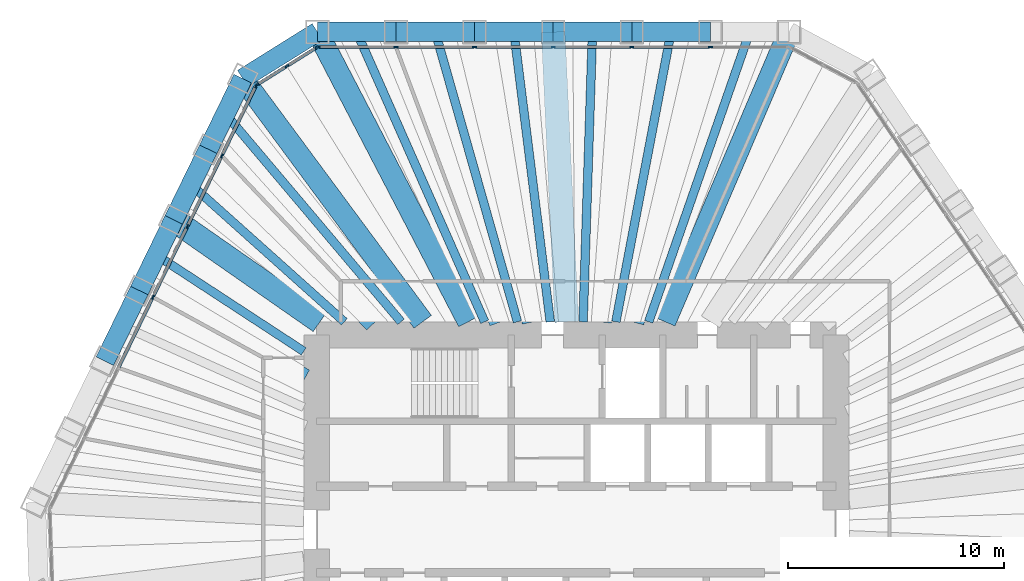
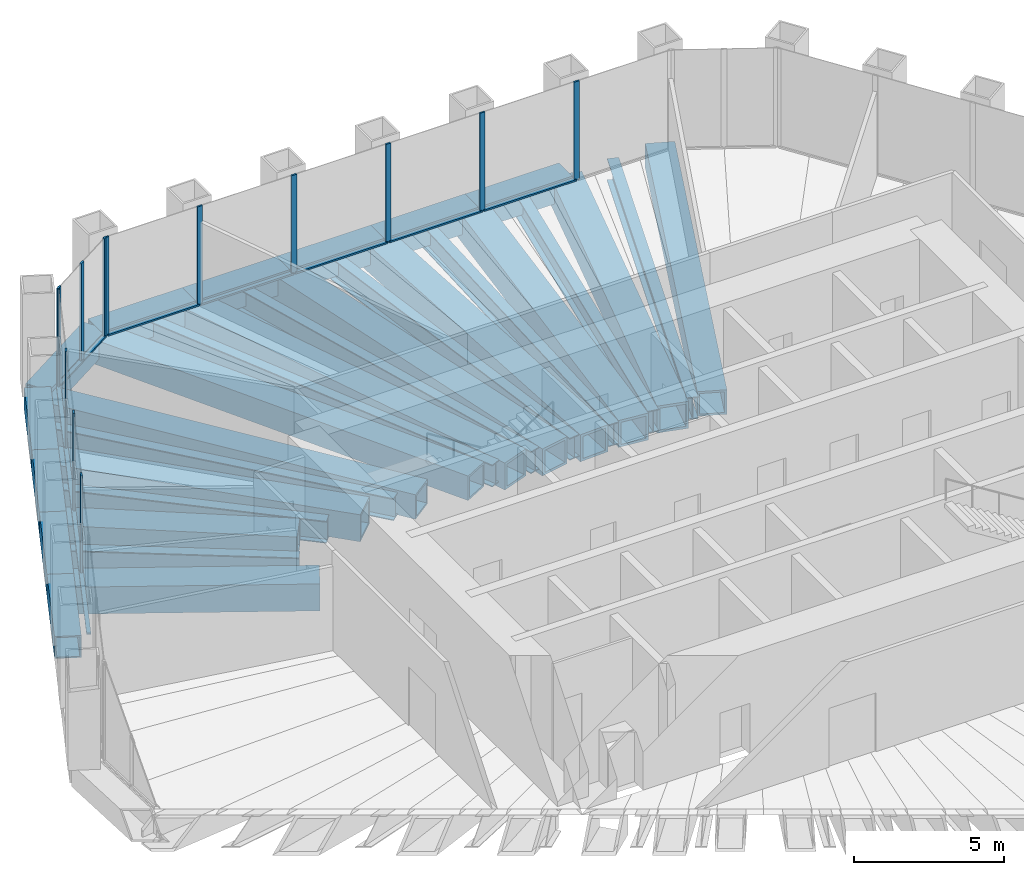
# One storey, part 5 of 12: 30 beams, 24 members, 3 elements without a shape of their own.
"""IFC4 building model written with IfcOpenShell, lengths in metres."""

import ifcopenshell
import ifcopenshell.guid

model = None  # the IFC model being written
_history = None  # IfcOwnerHistory: only IFC2X3 demands one
_inside = {}  # id of a spatial element -> (the spatial element, [elements in it])
_under = {}  # id of a project, library or spatial element -> (it, [spatial elements below it])
_declared = {}  # id of a project -> (the project, [libraries it declares])
_typed = {}  # id of a type object -> (the type object, [elements of that type])
_made_of = {}  # id of a material, layer set ... -> (it, [elements and type objects made of it])


def new_model(schema):
    """Start an empty IFC model of exactly this schema.

    Asked for "IFC4X3", IfcOpenShell would pick the latest addendum, in which some entities
    have other attributes; the version numbers below select the first issue.
    IFC2X3 requires an IfcOwnerHistory on every rooted entity: one is made here for all.
    """
    global model, _history
    if schema == "IFC4X3":
        model = ifcopenshell.file(schema_version=(4, 3, 0, 0))
    else:
        model = ifcopenshell.file(schema=schema)
    _inside.clear()
    _under.clear()
    _declared.clear()
    _typed.clear()
    _made_of.clear()
    _history = None
    if model.schema == "IFC2X3":
        org = make("IfcOrganization", Name="unknown")
        user = make(
            "IfcPersonAndOrganization",
            ThePerson=make("IfcPerson", FamilyName="unknown"),
            TheOrganization=org,
        )
        app = make(
            "IfcApplication",
            ApplicationDeveloper=org,
            Version="unknown",
            ApplicationFullName="unknown",
            ApplicationIdentifier="unknown",
        )
        _history = make(
            "IfcOwnerHistory",
            OwningUser=user,
            OwningApplication=app,
            ChangeAction="ADDED",
            CreationDate=0,
        )
    return model


def make(cls, **values):
    """One entity of the class cls with the attributes given. An attribute that is None is left unset."""
    return model.create_entity(
        cls, **{name: value for name, value in values.items() if value is not None}
    )


def rooted(cls, **values):
    """An entity with a GlobalId (a new one), such as an element, a storey or a relation."""
    return make(cls, GlobalId=ifcopenshell.guid.new(), OwnerHistory=_history, **values)


def si_unit(unit_type, name, prefix=None):
    """IfcSIUnit, for example si_unit("LENGTHUNIT", "METRE", prefix="MILLI")."""
    return make("IfcSIUnit", UnitType=unit_type, Prefix=prefix, Name=name)


def assignment(units):
    """IfcUnitAssignment: the units of a project."""
    return None if units is None else make("IfcUnitAssignment", Units=units)


def point(xyz):
    """IfcCartesianPoint."""
    return None if xyz is None else make("IfcCartesianPoint", Coordinates=xyz)


def direction(xyz):
    """IfcDirection."""
    return None if xyz is None else make("IfcDirection", DirectionRatios=xyz)


def frame(location, z_axis=None, x_axis=None):
    """IfcAxis2Placement3D, a coordinate frame: its origin and axes. An axis left out is left unset."""
    return make(
        "IfcAxis2Placement3D",
        Location=point(location),
        Axis=direction(z_axis),
        RefDirection=direction(x_axis),
    )


def frame_2d(location, x_axis=None):
    """IfcAxis2Placement2D, a coordinate frame in the plane: its origin and x axis."""
    return make(
        "IfcAxis2Placement2D", Location=point(location), RefDirection=direction(x_axis)
    )


def origin():
    """The frame at (0, 0, 0) with its axes left unset."""
    return frame((0.0, 0.0, 0.0))


def origin_2d():
    """The frame at (0, 0) in the plane with its x axis left unset."""
    return frame_2d((0.0, 0.0))


def place(relative_to, where):
    """IfcLocalPlacement: puts the frame where relative to a parent placement (None: the world)."""
    return make(
        "IfcLocalPlacement", PlacementRelTo=relative_to, RelativePlacement=where
    )


def context(
    kind, dimensions, precision=None, world=None, true_north=None, identifier=None
):
    """IfcGeometricRepresentationContext, for example the 3D "Model" context."""
    return make(
        "IfcGeometricRepresentationContext",
        ContextIdentifier=identifier,
        ContextType=kind,
        CoordinateSpaceDimension=dimensions,
        Precision=precision,
        WorldCoordinateSystem=world,
        TrueNorth=true_north,
    )


def subcontext(parent, identifier, kind, view, scale=None):
    """IfcGeometricRepresentationSubContext, for example "Body" below "Model"."""
    return make(
        "IfcGeometricRepresentationSubContext",
        ContextIdentifier=identifier,
        ContextType=kind,
        ParentContext=parent,
        TargetScale=scale,
        TargetView=view,
    )


def project(units=None, contexts=None):
    """IfcProject with its units and contexts."""
    return rooted(
        "IfcProject",
        Name="project",
        RepresentationContexts=contexts,
        UnitsInContext=assignment(units),
    )


def spatial(cls, under=None, at=None, **own):
    """A site, building, storey or space (cls), placed at a placement, below another one or the project."""
    s = rooted(cls, ObjectPlacement=at, **own)
    if under is not None:
        _under.setdefault(under.id(), (under, []))[1].append(s)
    return s


def profile(cls, at=None, kind="AREA", **sizes):
    """A parametric profile (cls). Its sizes go by their IFC names, for example OverallWidth=200.0."""
    return make(cls, ProfileType=kind, Position=at, **sizes)


def rectangle(**sizes):
    """IfcRectangleProfileDef."""
    return profile("IfcRectangleProfileDef", **sizes)


def hollow_rectangle(**sizes):
    """IfcRectangleHollowProfileDef."""
    return profile("IfcRectangleHollowProfileDef", **sizes)


def i_section(**sizes):
    """IfcIShapeProfileDef."""
    return profile("IfcIShapeProfileDef", **sizes)


def extrude(swept, where, along, depth):
    """IfcExtrudedAreaSolid: the profile swept, set in the frame where, extruded along a direction by depth."""
    return make(
        "IfcExtrudedAreaSolid",
        SweptArea=swept,
        Position=where,
        ExtrudedDirection=direction(along),
        Depth=depth,
    )


def shape(context_of_items, identifier, shape_type, items):
    """IfcShapeRepresentation: the items that make up one representation, for example the "Body"."""
    return make(
        "IfcShapeRepresentation",
        ContextOfItems=context_of_items,
        RepresentationIdentifier=identifier,
        RepresentationType=shape_type,
        Items=items,
    )


def material(Name=None, Category=None):
    """IfcMaterial."""
    return make("IfcMaterial", Name=Name, Category=Category)


def material_profile(
    of_material, cross_section, Name=None, Category=None, Priority=None
):
    """IfcMaterialProfile: a cross section and its material."""
    return make(
        "IfcMaterialProfile",
        Name=Name,
        Material=of_material,
        Profile=cross_section,
        Priority=Priority,
        Category=Category,
    )


def profile_set(profiles, Name=None, composite=None):
    """IfcMaterialProfileSet."""
    return make(
        "IfcMaterialProfileSet",
        Name=Name,
        MaterialProfiles=profiles,
        CompositeProfile=composite,
    )


def made_of(thing, what):
    """Note that an element or type object is made of a material, layer set ...; save() writes the relation."""
    if what is not None:
        _made_of.setdefault(what.id(), (what, []))[1].append(thing)
    return thing


def type_object(cls, material=None, **own):
    """A type object (cls), such as IfcWallType, which elements share."""
    return made_of(rooted(cls, **own), material)


def element(
    cls,
    number,
    at=None,
    inside=None,
    cuts=None,
    type_object=None,
    material=None,
    context=None,
    identifier="Body",
    shape_type=None,
    held_by="IfcProductDefinitionShape",
    body=None,
    shapes=None,
    **own,
):
    """One element of the class cls, such as IfcWall. Its Tag is "e" and its number.

    at: its placement. inside: the storey or other place that contains it. cuts: it is an
    opening in that element (IfcRelVoidsElement). A single representation is given by context,
    identifier, shape_type and body (its items); several are given by shapes. held_by: the class
    of the entity that holds the representations. save() writes the other relations.
    """
    e = rooted(cls, Tag="e%d" % number, ObjectPlacement=at, **own)
    if body is not None:
        shapes = [shape(context, identifier, shape_type, body)]
    if shapes is not None:
        e.Representation = make(held_by, Representations=shapes)
    if inside is not None:
        _inside.setdefault(inside.id(), (inside, []))[1].append(e)
    if cuts is not None:
        rooted(
            "IfcRelVoidsElement", RelatingBuildingElement=cuts, RelatedOpeningElement=e
        )
    if type_object is not None:
        _typed.setdefault(type_object.id(), (type_object, []))[1].append(e)
    return made_of(e, material)


def aggregate(whole, parts):
    """IfcRelAggregates: a whole, such as a stair, and the parts it consists of."""
    return rooted("IfcRelAggregates", RelatingObject=whole, RelatedObjects=parts)


def save(model, path):
    """Write the relations noted so far, then the file.

    IfcRelAggregates (storeys below a building ...), IfcRelContainedInSpatialStructure (elements
    in a storey), IfcRelDefinesByType, IfcRelAssociatesMaterial and IfcRelDeclares: one each for
    every whole, place, type object, material and project.
    """
    for whole, parts in _under.values():
        aggregate(whole, parts)
    for where, things in _inside.values():
        rooted(
            "IfcRelContainedInSpatialStructure",
            RelatedElements=things,
            RelatingStructure=where,
        )
    for kind, things in _typed.values():
        rooted("IfcRelDefinesByType", RelatedObjects=things, RelatingType=kind)
    for what, things in _made_of.values():
        rooted("IfcRelAssociatesMaterial", RelatedObjects=things, RelatingMaterial=what)
    for by, libraries in _declared.values():
        rooted("IfcRelDeclares", RelatingContext=by, RelatedDefinitions=libraries)
    model.write(path)


model = new_model("IFC4")

# Units and contexts
model_context = context("Model", 3, precision=1e-05, world=origin(), true_north=direction((0.0, 1.0)))
body_context = subcontext(model_context, "Body", "Model", "MODEL_VIEW")
ifc_project = project(units=[si_unit("LENGTHUNIT", "METRE"), si_unit("AREAUNIT", "SQUARE_METRE"), si_unit("VOLUMEUNIT", "CUBIC_METRE"), si_unit("PLANEANGLEUNIT", "RADIAN"), si_unit("MASSUNIT", "GRAM", prefix="KILO")], contexts=[model_context])

# Site, building, storey
site_placement = place(None, origin())
site = spatial("IfcSite", under=ifc_project, at=site_placement, CompositionType="ELEMENT")
building_placement = place(site_placement, origin())
building = spatial("IfcBuilding", under=site, at=building_placement, Name="Qingtian Harvest Tower", CompositionType="ELEMENT")
storey_placement = place(building_placement, frame((0.0, 0.0, 184.60009765625)))
storey = spatial("IfcBuildingStorey", under=building, at=storey_placement, Name="L39", CompositionType="ELEMENT", Elevation=184.60009765625)

# Beams
ifc_material_1 = material(Name="Steel SN490B", Category="steel")
ifc_material_profile_1 = material_profile(ifc_material_1, i_section(OverallWidth=0.39990234375, OverallDepth=0.89990234375, WebThickness=0.01904296875, FlangeThickness=0.035888671875, at=origin_2d()), Name="H900x400x19x36")
ifc_profile_set_1 = profile_set([ifc_material_profile_1], Name="Steel SN490B")
beam_type_1 = type_object("IfcBeamType", Name="Floor joist J4 H900x400x19x36", PredefinedType="JOIST", material=ifc_profile_set_1)
beam_1_placement = place(storey_placement, frame((-10.1552734375, 23.0, -0.6201171875), z_axis=(0.40391347792, -0.914797191925, 0.0), x_axis=(0.914797191925, 0.40391347792, 0.0)))
element("IfcBeam", 1, at=beam_1_placement, inside=storey, type_object=beam_type_1, Name="Floor joist J4 N0", PredefinedType="JOIST", context=body_context, shape_type="SweptSolid", body=[
    extrude(i_section(OverallWidth=0.39990234375, OverallDepth=0.89990234375, WebThickness=0.01904296875, FlangeThickness=0.035888671875, at=origin_2d()), origin(), (0.0, 0.0, 1.0), 14.64794921875),
])
beam_2_placement = place(storey_placement, frame((-6.521728515625, 23.0, -0.6201171875), z_axis=(0.272796737564, -0.962071691702, 0.0), x_axis=(0.962071691702, 0.272796737564, 0.0)))
element("IfcBeam", 2, at=beam_2_placement, inside=storey, type_object=beam_type_1, Name="Floor joist J4 N1", PredefinedType="JOIST", context=body_context, shape_type="SweptSolid", body=[
    extrude(i_section(OverallWidth=0.39990234375, OverallDepth=0.89990234375, WebThickness=0.01904296875, FlangeThickness=0.035888671875, at=origin_2d()), origin(), (0.0, 0.0, 1.0), 13.92822265625),
])
beam_3_placement = place(storey_placement, frame((-2.88818359375, 23.0, -0.6201171875), z_axis=(0.124590949529, -0.992208191508, 0.0), x_axis=(0.992208191508, 0.124590949529, 0.0)))
element("IfcBeam", 3, at=beam_3_placement, inside=storey, type_object=beam_type_1, Name="Floor joist J4 N2", PredefinedType="JOIST", context=body_context, shape_type="SweptSolid", body=[
    extrude(i_section(OverallWidth=0.39990234375, OverallDepth=0.89990234375, WebThickness=0.01904296875, FlangeThickness=0.035888671875, at=origin_2d()), origin(), (0.0, 0.0, 1.0), 13.505126953125),
])
beam_4_placement = place(storey_placement, frame((0.745361328125, 23.0, -0.6201171875), z_axis=(-0.032395624487, -0.99947512401, 0.0), x_axis=(0.99947512401, -0.032395624487, 0.0)))
element("IfcBeam", 4, at=beam_4_placement, inside=storey, type_object=beam_type_1, Name="Floor joist J4 N3", PredefinedType="JOIST", context=body_context, shape_type="SweptSolid", body=[
    extrude(i_section(OverallWidth=0.39990234375, OverallDepth=0.89990234375, WebThickness=0.01904296875, FlangeThickness=0.035888671875, at=origin_2d()), origin(), (0.0, 0.0, 1.0), 13.406982421875),
])
beam_5_placement = place(storey_placement, frame((4.37890625, 23.0, -0.6201171875), z_axis=(-0.187034797062, -0.982353289142, 0.0), x_axis=(0.982353289142, -0.187034797062, 0.0)))
element("IfcBeam", 5, at=beam_5_placement, inside=storey, type_object=beam_type_1, Name="Floor joist J4 N4", PredefinedType="JOIST", context=body_context, shape_type="SweptSolid", body=[
    extrude(i_section(OverallWidth=0.39990234375, OverallDepth=0.89990234375, WebThickness=0.01904296875, FlangeThickness=0.035888671875, at=origin_2d()), origin(), (0.0, 0.0, 1.0), 13.640625),
])
beam_6_placement = place(storey_placement, frame((8.012451171875, 23.0, -0.6201171875), z_axis=(-0.328969033283, -0.944340709247, 0.0), x_axis=(0.944340709247, -0.328969033283, 0.0)))
element("IfcBeam", 6, at=beam_6_placement, inside=storey, type_object=beam_type_1, Name="Floor joist J4 N5", PredefinedType="JOIST", context=body_context, shape_type="SweptSolid", body=[
    extrude(i_section(OverallWidth=0.39990234375, OverallDepth=0.89990234375, WebThickness=0.01904296875, FlangeThickness=0.035888671875, at=origin_2d()), origin(), (0.0, 0.0, 1.0), 14.189697265625),
])
beam_7_placement = place(storey_placement, frame((-19.40625, 12.678466796875, -0.6201171875), z_axis=(0.837161066611, -0.546956441182, 0.0), x_axis=(0.546956441182, 0.837161066611, 0.0)))
element("IfcBeam", 7, at=beam_7_placement, inside=storey, type_object=beam_type_1, Name="Floor joist J4 NW3", PredefinedType="JOIST", context=body_context, shape_type="SweptSolid", body=[
    extrude(i_section(OverallWidth=0.39990234375, OverallDepth=0.89990234375, WebThickness=0.01904296875, FlangeThickness=0.035888671875, at=origin_2d()), origin(), (0.0, 0.0, 1.0), 8.130126953125),
])
beam_8_placement = place(storey_placement, frame((-17.813232421875, 15.944091796875, -0.6201171875), z_axis=(0.745126517589, -0.66692313859, 0.0), x_axis=(0.66692313859, 0.745126517589, 0.0)))
element("IfcBeam", 8, at=beam_8_placement, inside=storey, type_object=beam_type_1, Name="Floor joist J4 NW4", PredefinedType="JOIST", context=body_context, shape_type="SweptSolid", body=[
    extrude(i_section(OverallWidth=0.39990234375, OverallDepth=0.89990234375, WebThickness=0.01904296875, FlangeThickness=0.035888671875, at=origin_2d()), origin(), (0.0, 0.0, 1.0), 9.512451171875),
])
beam_9_placement = place(storey_placement, frame((-16.220458984375, 19.2099609375, -0.6201171875), z_axis=(0.645157903911, -0.764049264787, 0.0), x_axis=(0.764049264787, 0.645157903911, 0.0)))
element("IfcBeam", 9, at=beam_9_placement, inside=storey, type_object=beam_type_1, Name="Floor joist J4 NW5", PredefinedType="JOIST", context=body_context, shape_type="SweptSolid", body=[
    extrude(i_section(OverallWidth=0.39990234375, OverallDepth=0.89990234375, WebThickness=0.01904296875, FlangeThickness=0.035888671875, at=origin_2d()), origin(), (0.0, 0.0, 1.0), 12.57763671875),
])

# Curtain wall, members
ifc_material_2 = material(Name="Bronze-anodised aluminium curtain wall", Category="aluminium")
curtain_wall_type = type_object("IfcCurtainWallType", Name="Curtain wall CW4 office", PredefinedType="USERDEFINED", material=ifc_material_2)
curtain_wall_1_placement = place(storey_placement, origin())
curtain_wall_1 = element("IfcCurtainWall", 10, at=curtain_wall_1_placement, inside=storey, type_object=curtain_wall_type, Name="Curtain wall CW4 L39 N0-5", ObjectType="RECESSED CURTAIN WALL", PredefinedType="USERDEFINED")
ifc_material_3 = material(Name="Bronze-anodised aluminium mullion", Category="aluminium")
ifc_material_profile_2 = material_profile(ifc_material_3, rectangle(XDim=0.06494140625, YDim=0.199951171875, at=origin_2d()), Name="AL 65x200")
ifc_profile_set_2 = profile_set([ifc_material_profile_2], Name="Bronze-anodised aluminium mullion")
member_type_1 = type_object("IfcMemberType", Name="Mullion CWM 65x200", PredefinedType="MULLION", material=ifc_profile_set_2)
member_1_placement = place(storey_placement, frame((-11.939453125, 22.300048828125, 0.0), z_axis=(0.0, 0.0, 1.0), x_axis=(0.0, 1.0, 0.0)))
member_1 = element("IfcMember", 11, at=member_1_placement, type_object=member_type_1, Name="CW4 mullion 1", PredefinedType="MULLION", context=body_context, shape_type="SweptSolid", body=[
    extrude(rectangle(XDim=0.06494140625, YDim=0.199951171875, at=origin_2d()), origin(), (0.0, 0.0, 1.0), 4.02978515625),
])
member_2_placement = place(storey_placement, frame((-8.33837890625, 22.300048828125, 0.0), z_axis=(0.0, 0.0, 1.0), x_axis=(0.0, 1.0, 0.0)))
member_2 = element("IfcMember", 12, at=member_2_placement, type_object=member_type_1, Name="CW4 mullion 2", PredefinedType="MULLION", context=body_context, shape_type="SweptSolid", body=[
    extrude(rectangle(XDim=0.06494140625, YDim=0.199951171875, at=origin_2d()), origin(), (0.0, 0.0, 1.0), 4.02978515625),
])
member_3_placement = place(storey_placement, frame((-4.704833984375, 22.300048828125, 0.0), z_axis=(0.0, 0.0, 1.0), x_axis=(0.0, 1.0, 0.0)))
member_3 = element("IfcMember", 13, at=member_3_placement, type_object=member_type_1, Name="CW4 mullion 3", PredefinedType="MULLION", context=body_context, shape_type="SweptSolid", body=[
    extrude(rectangle(XDim=0.06494140625, YDim=0.199951171875, at=origin_2d()), origin(), (0.0, 0.0, 1.0), 4.02978515625),
])
member_4_placement = place(storey_placement, frame((-1.0712890625, 22.300048828125, 0.0), z_axis=(0.0, 0.0, 1.0), x_axis=(0.0, 1.0, 0.0)))
member_4 = element("IfcMember", 14, at=member_4_placement, type_object=member_type_1, Name="CW4 mullion 4", PredefinedType="MULLION", context=body_context, shape_type="SweptSolid", body=[
    extrude(rectangle(XDim=0.06494140625, YDim=0.199951171875, at=origin_2d()), origin(), (0.0, 0.0, 1.0), 4.02978515625),
])
member_5_placement = place(storey_placement, frame((2.562255859375, 22.300048828125, 0.0), z_axis=(0.0, 0.0, 1.0), x_axis=(0.0, 1.0, 0.0)))
member_5 = element("IfcMember", 15, at=member_5_placement, type_object=member_type_1, Name="CW4 mullion 5", PredefinedType="MULLION", context=body_context, shape_type="SweptSolid", body=[
    extrude(rectangle(XDim=0.06494140625, YDim=0.199951171875, at=origin_2d()), origin(), (0.0, 0.0, 1.0), 4.02978515625),
])
member_6_placement = place(storey_placement, frame((6.19580078125, 22.300048828125, 0.0), z_axis=(0.0, 0.0, 1.0), x_axis=(0.0, 1.0, 0.0)))
member_6 = element("IfcMember", 16, at=member_6_placement, type_object=member_type_1, Name="CW4 mullion 6", PredefinedType="MULLION", context=body_context, shape_type="SweptSolid", body=[
    extrude(rectangle(XDim=0.06494140625, YDim=0.199951171875, at=origin_2d()), origin(), (0.0, 0.0, 1.0), 4.02978515625),
])

curtain_wall_2_placement = place(storey_placement, origin())
curtain_wall_2 = element("IfcCurtainWall", 17, at=curtain_wall_2_placement, inside=storey, type_object=curtain_wall_type, Name="Curtain wall CW4 L39 NW0-5", ObjectType="RECESSED CURTAIN WALL", PredefinedType="USERDEFINED")
member_7_placement = place(storey_placement, frame((-19.573486328125, 10.738525390625, 0.0), z_axis=(0.0, 0.0, 1.0), x_axis=(-0.898794046299, 0.438371146789, 0.0)))
member_7 = element("IfcMember", 18, at=member_7_placement, type_object=member_type_1, Name="CW4 mullion 4", PredefinedType="MULLION", context=body_context, shape_type="SweptSolid", body=[
    extrude(rectangle(XDim=0.06494140625, YDim=0.199951171875, at=origin_2d()), origin(), (0.0, 0.0, 1.0), 4.02978515625),
])
member_8_placement = place(storey_placement, frame((-17.980712890625, 14.00439453125, 0.0), z_axis=(0.0, 0.0, 1.0), x_axis=(-0.898794046299, 0.438371146789, 0.0)))
member_8 = element("IfcMember", 19, at=member_8_placement, type_object=member_type_1, Name="CW4 mullion 5", PredefinedType="MULLION", context=body_context, shape_type="SweptSolid", body=[
    extrude(rectangle(XDim=0.06494140625, YDim=0.199951171875, at=origin_2d()), origin(), (0.0, 0.0, 1.0), 4.02978515625),
])
member_9_placement = place(storey_placement, frame((-16.3876953125, 17.270263671875, 0.0), z_axis=(0.0, 0.0, 1.0), x_axis=(-0.898794046299, 0.438371146789, 0.0)))
member_9 = element("IfcMember", 20, at=member_9_placement, type_object=member_type_1, Name="CW4 mullion 6", PredefinedType="MULLION", context=body_context, shape_type="SweptSolid", body=[
    extrude(rectangle(XDim=0.06494140625, YDim=0.199951171875, at=origin_2d()), origin(), (0.0, 0.0, 1.0), 4.02978515625),
])
member_10_placement = place(storey_placement, frame((-14.80908203125, 20.5068359375, 0.0), z_axis=(0.0, 0.0, 1.0), x_axis=(-0.898794046299, 0.438371146789, 0.0)))
member_10 = element("IfcMember", 21, at=member_10_placement, type_object=member_type_1, Name="CW4 mullion 7", PredefinedType="MULLION", context=body_context, shape_type="SweptSolid", body=[
    extrude(rectangle(XDim=0.06494140625, YDim=0.199951171875, at=origin_2d()), origin(), (0.0, 0.0, 1.0), 4.02978515625),
])

curtain_wall_3_placement = place(storey_placement, origin())
curtain_wall_3 = element("IfcCurtainWall", 22, at=curtain_wall_3_placement, inside=storey, type_object=curtain_wall_type, Name="Curtain wall CW4 L39 NWC", ObjectType="RECESSED CURTAIN WALL", PredefinedType="USERDEFINED")
member_11_placement = place(storey_placement, frame((-14.767333984375, 20.55322265625, 0.0), z_axis=(0.0, 0.0, 1.0), x_axis=(-0.529919264233, 0.848048096156, 0.0)))
member_11 = element("IfcMember", 23, at=member_11_placement, type_object=member_type_1, Name="CW4 mullion 1", PredefinedType="MULLION", context=body_context, shape_type="SweptSolid", body=[
    extrude(rectangle(XDim=0.06494140625, YDim=0.199951171875, at=origin_2d()), origin(), (0.0, 0.0, 1.0), 4.02978515625),
])
member_12_placement = place(storey_placement, frame((-13.383544921875, 21.41796875, 0.0), z_axis=(0.0, 0.0, 1.0), x_axis=(-0.529919264233, 0.848048096156, 0.0)))
member_12 = element("IfcMember", 24, at=member_12_placement, type_object=member_type_1, Name="CW4 mullion 2", PredefinedType="MULLION", context=body_context, shape_type="SweptSolid", body=[
    extrude(rectangle(XDim=0.06494140625, YDim=0.199951171875, at=origin_2d()), origin(), (0.0, 0.0, 1.0), 4.02978515625),
])
member_13_placement = place(storey_placement, frame((-11.99951171875, 22.28271484375, 0.0), z_axis=(0.0, 0.0, 1.0), x_axis=(-0.529919264233, 0.848048096156, 0.0)))
member_13 = element("IfcMember", 25, at=member_13_placement, type_object=member_type_1, Name="CW4 mullion 3", PredefinedType="MULLION", context=body_context, shape_type="SweptSolid", body=[
    extrude(rectangle(XDim=0.06494140625, YDim=0.199951171875, at=origin_2d()), origin(), (0.0, 0.0, 1.0), 4.02978515625),
])

# Beams
ifc_material_4 = material(Name="Steel SM570MC", Category="steel")
ifc_material_profile_3 = material_profile(ifc_material_4, hollow_rectangle(XDim=1.0, YDim=1.0, WallThickness=0.080078125, at=origin_2d()), Name="BOX1000x1000x80")
ifc_profile_set_3 = profile_set([ifc_material_profile_3], Name="Steel SM570MC")
beam_type_2 = type_object("IfcBeamType", Name="Transfer corner beam FB11 BOX1000x1000x80", PredefinedType="BEAM", material=ifc_profile_set_3)
beam_10_placement = place(storey_placement, frame((-11.971923828125, 23.0, -0.670166015625), z_axis=(0.461712460868, -0.887029651973, 0.0), x_axis=(0.887029651973, 0.461712460868, 0.0)))
element("IfcBeam", 26, at=beam_10_placement, inside=storey, type_object=beam_type_2, Name="Floor beam FB11 N0", PredefinedType="BEAM", context=body_context, shape_type="SweptSolid", body=[
    extrude(hollow_rectangle(XDim=1.0, YDim=1.0, WallThickness=0.080078125, at=origin_2d()), origin(), (0.0, 0.0, 1.0), 15.1064453125),
])
beam_11_placement = place(storey_placement, frame((9.829345703125, 23.0, -0.670166015625), z_axis=(-0.392976835482, -0.91954837109, 0.0), x_axis=(0.91954837109, -0.392976835482, 0.0)))
element("IfcBeam", 27, at=beam_11_placement, inside=storey, type_object=beam_type_2, Name="Floor beam FB11 N6", PredefinedType="BEAM", context=body_context, shape_type="SweptSolid", body=[
    extrude(hollow_rectangle(XDim=1.0, YDim=1.0, WallThickness=0.080078125, at=origin_2d()), origin(), (0.0, 0.0, 1.0), 14.572265625),
])
beam_12_placement = place(storey_placement, frame((-15.424072265625, 20.8427734375, -0.670166015625), z_axis=(0.594854284538, -0.803833552526, 0.0), x_axis=(0.803833552526, 0.594854284538, 0.0)))
element("IfcBeam", 28, at=beam_12_placement, inside=storey, type_object=beam_type_2, Name="Floor beam FB11 NW6", PredefinedType="BEAM", context=body_context, shape_type="SweptSolid", body=[
    extrude(hollow_rectangle(XDim=1.0, YDim=1.0, WallThickness=0.080078125, at=origin_2d()), origin(), (0.0, 0.0, 1.0), 13.986328125),
])
ifc_material_5 = material(Name="Steel SM570MC", Category="steel")
ifc_material_profile_4 = material_profile(ifc_material_5, hollow_rectangle(XDim=1.10009765625, YDim=1.10009765625, WallThickness=0.10009765625, at=origin_2d()), Name="BOX1100x1100x100")
ifc_profile_set_4 = profile_set([ifc_material_profile_4], Name="Steel SM570MC")
beam_type_3 = type_object("IfcBeamType", Name="Transfer floor beam FB9 BOX1100x1100x100", PredefinedType="BEAM", material=ifc_profile_set_4)
beam_13_placement = place(storey_placement, frame((-8.33837890625, 23.0, -0.72021484375), z_axis=(0.340826952705, -0.94012604916, 0.0), x_axis=(0.94012604916, 0.340826952705, 0.0)))
element("IfcBeam", 29, at=beam_13_placement, inside=storey, type_object=beam_type_3, Name="Floor beam FB9 N1", PredefinedType="BEAM", context=body_context, shape_type="SweptSolid", body=[
    extrude(hollow_rectangle(XDim=1.10009765625, YDim=1.10009765625, WallThickness=0.10009765625, at=origin_2d()), origin(), (0.0, 0.0, 1.0), 14.25341796875),
])
beam_14_placement = place(storey_placement, frame((-4.704833984375, 23.0, -0.72021484375), z_axis=(0.200401687601, -0.979713817197, 0.0), x_axis=(0.979713817197, 0.200401687601, 0.0)))
element("IfcBeam", 30, at=beam_14_placement, inside=storey, type_object=beam_type_3, Name="Floor beam FB9 N2", PredefinedType="BEAM", context=body_context, shape_type="SweptSolid", body=[
    extrude(hollow_rectangle(XDim=1.10009765625, YDim=1.10009765625, WallThickness=0.10009765625, at=origin_2d()), origin(), (0.0, 0.0, 1.0), 13.67724609375),
])
beam_15_placement = place(storey_placement, frame((-1.0712890625, 23.0, -0.72021484375), z_axis=(0.04651883736, -0.998917412888, 0.0), x_axis=(0.998917412888, 0.04651883736, 0.0)))
element("IfcBeam", 31, at=beam_15_placement, inside=storey, type_object=beam_type_3, Name="Floor beam FB9 N3", PredefinedType="BEAM", context=body_context, shape_type="SweptSolid", body=[
    extrude(hollow_rectangle(XDim=1.10009765625, YDim=1.10009765625, WallThickness=0.10009765625, at=origin_2d()), origin(), (0.0, 0.0, 1.0), 13.414306640625),
])
beam_16_placement = place(storey_placement, frame((2.562255859375, 23.0, -0.72021484375), z_axis=(-0.110727645803, -0.993850787822, 0.0), x_axis=(0.993850787822, -0.110727645803, 0.0)))
element("IfcBeam", 32, at=beam_16_placement, inside=storey, type_object=beam_type_3, Name="Floor beam FB9 N4", PredefinedType="BEAM", context=body_context, shape_type="SweptSolid", body=[
    extrude(hollow_rectangle(XDim=1.10009765625, YDim=1.10009765625, WallThickness=0.10009765625, at=origin_2d()), origin(), (0.0, 0.0, 1.0), 13.48291015625),
])
beam_17_placement = place(storey_placement, frame((6.19580078125, 23.0, -0.72021484375), z_axis=(-0.260121100906, -0.965576000563, 0.0), x_axis=(0.965576000563, -0.260121100906, 0.0)))
element("IfcBeam", 33, at=beam_17_placement, inside=storey, type_object=beam_type_3, Name="Floor beam FB9 N5", PredefinedType="BEAM", context=body_context, shape_type="SweptSolid", body=[
    extrude(hollow_rectangle(XDim=1.10009765625, YDim=1.10009765625, WallThickness=0.10009765625, at=origin_2d()), origin(), (0.0, 0.0, 1.0), 13.877685546875),
])
beam_18_placement = place(storey_placement, frame((-20.20263671875, 11.04541015625, -0.72021484375), z_axis=(0.87742673539, -0.479710666988, 0.0), x_axis=(0.479710666988, 0.87742673539, 0.0)))
element("IfcBeam", 34, at=beam_18_placement, inside=storey, type_object=beam_type_3, Name="Floor beam FB9 NW3", PredefinedType="BEAM", context=body_context, shape_type="SweptSolid", body=[
    extrude(hollow_rectangle(XDim=1.10009765625, YDim=1.10009765625, WallThickness=0.10009765625, at=origin_2d()), origin(), (0.0, 0.0, 1.0), 8.66455078125),
])
beam_19_placement = place(storey_placement, frame((-18.60986328125, 14.311279296875, -0.72021484375), z_axis=(0.820407854234, -0.571778762032, 0.0), x_axis=(0.571778762032, 0.820407854234, 0.0)))
element("IfcBeam", 35, at=beam_19_placement, inside=storey, type_object=beam_type_3, Name="Floor beam FB9 NW4", PredefinedType="BEAM", context=body_context, shape_type="SweptSolid", body=[
    extrude(hollow_rectangle(XDim=1.10009765625, YDim=1.10009765625, WallThickness=0.10009765625, at=origin_2d()), origin(), (0.0, 0.0, 1.0), 8.239501953125),
])
beam_20_placement = place(storey_placement, frame((-17.016845703125, 17.5771484375, -0.72021484375), z_axis=(0.695569024353, -0.718459276759, 0.0), x_axis=(0.718459276759, 0.695569024353, 0.0)))
element("IfcBeam", 36, at=beam_20_placement, inside=storey, type_object=beam_type_3, Name="Floor beam FB9 NW5", PredefinedType="BEAM", context=body_context, shape_type="SweptSolid", body=[
    extrude(hollow_rectangle(XDim=1.10009765625, YDim=1.10009765625, WallThickness=0.10009765625, at=origin_2d()), origin(), (0.0, 0.0, 1.0), 11.10302734375),
])
ifc_material_6 = material(Name="Steel SM570MC", Category="steel")
ifc_material_profile_5 = material_profile(ifc_material_6, hollow_rectangle(XDim=0.89990234375, YDim=0.89990234375, WallThickness=0.050048828125, at=origin_2d()), Name="BOX900x900x50")
ifc_profile_set_5 = profile_set([ifc_material_profile_5], Name="Steel SM570MC")
beam_type_4 = type_object("IfcBeamType", Name="Transition spandrel SB6 BOX900x900x50", PredefinedType="SPANDREL", material=ifc_profile_set_5)
for number, where, z_axis, x_axis, name in (
    (37, (-11.971923828125, 23.0, -0.4501953125), (1.0, 0.0, 0.0), (0.0, 1.0, 0.0), "Spandrel SB6 N0"),
    (38, (-8.33837890625, 23.0, -0.4501953125), (1.0, 0.0, 0.0), (0.0, 1.0, 0.0), "Spandrel SB6 N1"),
    (39, (-4.704833984375, 23.0, -0.4501953125), (1.0, 0.0, 0.0), (0.0, 1.0, 0.0), "Spandrel SB6 N2"),
    (40, (-1.0712890625, 23.0, -0.4501953125), (1.0, 0.0, 0.0), (0.0, 1.0, 0.0), "Spandrel SB6 N3"),
    (41, (2.562255859375, 23.0, -0.4501953125), (1.0, 0.0, 0.0), (0.0, 1.0, 0.0), "Spandrel SB6 N4"),
    (42, (-21.79541015625, 7.779541015625, -0.4501953125), (0.438349498419, 0.898804604592, 0.0), (-0.898804604592, 0.438349498419, 0.0), "Spandrel SB6 NW2"),
    (43, (-20.20263671875, 11.04541015625, -0.4501953125), (0.438349498419, 0.898804604592, 0.0), (-0.898804604592, 0.438349498419, 0.0), "Spandrel SB6 NW3"),
):
    element("IfcBeam", number, at=place(storey_placement, frame(where, z_axis=z_axis, x_axis=x_axis)), inside=storey, type_object=beam_type_4, Name=name, PredefinedType="SPANDREL", context=body_context, shape_type="SweptSolid", body=[
        extrude(hollow_rectangle(XDim=0.89990234375, YDim=0.89990234375, WallThickness=0.050048828125, at=origin_2d()), origin(), (0.0, 0.0, 1.0), 3.633544921875),
    ])
beam_21_placement = place(storey_placement, frame((-18.60986328125, 14.311279296875, -0.4501953125), z_axis=(0.438403775684, 0.898778131391, 0.0), x_axis=(-0.898778131391, 0.438403775684, 0.0)))
element("IfcBeam", 44, at=beam_21_placement, inside=storey, type_object=beam_type_4, Name="Spandrel SB6 NW4", PredefinedType="SPANDREL", context=body_context, shape_type="SweptSolid", body=[
    extrude(hollow_rectangle(XDim=0.89990234375, YDim=0.89990234375, WallThickness=0.050048828125, at=origin_2d()), origin(), (0.0, 0.0, 1.0), 3.6337890625),
])
beam_22_placement = place(storey_placement, frame((-17.016845703125, 17.5771484375, -0.4501953125), z_axis=(0.43837597217, 0.898791692788, 0.0), x_axis=(-0.898791692788, 0.43837597217, 0.0)))
element("IfcBeam", 45, at=beam_22_placement, inside=storey, type_object=beam_type_4, Name="Spandrel SB6 NW5", PredefinedType="SPANDREL", context=body_context, shape_type="SweptSolid", body=[
    extrude(hollow_rectangle(XDim=0.89990234375, YDim=0.89990234375, WallThickness=0.050048828125, at=origin_2d()), origin(), (0.0, 0.0, 1.0), 3.63330078125),
])
beam_23_placement = place(storey_placement, frame((-15.424072265625, 20.8427734375, -0.4501953125), z_axis=(0.848038733752, 0.529934246919, 0.0), x_axis=(-0.529934246919, 0.848038733752, 0.0)))
element("IfcBeam", 46, at=beam_23_placement, inside=storey, type_object=beam_type_4, Name="Spandrel SB6 NWC", PredefinedType="SPANDREL", context=body_context, shape_type="SweptSolid", body=[
    extrude(hollow_rectangle(XDim=0.89990234375, YDim=0.89990234375, WallThickness=0.050048828125, at=origin_2d()), origin(), (0.0, 0.0, 1.0), 4.07080078125),
])

# Member
ifc_material_7 = material(Name="Bronze-anodised aluminium transom", Category="aluminium")
ifc_material_profile_6 = material_profile(ifc_material_7, rectangle(XDim=0.14990234375, YDim=0.06494140625, at=origin_2d()), Name="AL 65x150")
ifc_profile_set_6 = profile_set([ifc_material_profile_6], Name="Bronze-anodised aluminium transom")
member_type_2 = type_object("IfcMemberType", Name="Transom CWT 65x150", PredefinedType="USERDEFINED", material=ifc_profile_set_6)
member_14_placement = place(storey_placement, frame((-11.906982421875, 22.300048828125, 0.032470703125), z_axis=(1.0, 0.0, 0.0), x_axis=(0.0, 1.0, 0.0)))
member_14 = element("IfcMember", 47, at=member_14_placement, type_object=member_type_2, Name="CW4 transom 1.1", ObjectType="TRANSOM", PredefinedType="USERDEFINED", context=body_context, shape_type="SweptSolid", body=[
    extrude(rectangle(XDim=0.14990234375, YDim=0.06494140625, at=origin_2d()), origin(), (0.0, 0.0, 1.0), 3.5361328125),
])

member_15_placement = place(storey_placement, frame((-8.305908203125, 22.300048828125, 0.032470703125), z_axis=(1.0, 0.0, 0.0), x_axis=(0.0, 1.0, 0.0)))
member_15 = element("IfcMember", 48, at=member_15_placement, type_object=member_type_2, Name="CW4 transom 2.1", ObjectType="TRANSOM", PredefinedType="USERDEFINED", context=body_context, shape_type="SweptSolid", body=[
    extrude(rectangle(XDim=0.14990234375, YDim=0.06494140625, at=origin_2d()), origin(), (0.0, 0.0, 1.0), 3.568603515625),
])

member_16_placement = place(storey_placement, frame((-4.67236328125, 22.300048828125, 0.032470703125), z_axis=(1.0, 0.0, 0.0), x_axis=(0.0, 1.0, 0.0)))
member_16 = element("IfcMember", 49, at=member_16_placement, type_object=member_type_2, Name="CW4 transom 3.1", ObjectType="TRANSOM", PredefinedType="USERDEFINED", context=body_context, shape_type="SweptSolid", body=[
    extrude(rectangle(XDim=0.14990234375, YDim=0.06494140625, at=origin_2d()), origin(), (0.0, 0.0, 1.0), 3.568603515625),
])

member_17_placement = place(storey_placement, frame((-1.038818359375, 22.300048828125, 0.032470703125), z_axis=(1.0, 0.0, 0.0), x_axis=(0.0, 1.0, 0.0)))
member_17 = element("IfcMember", 50, at=member_17_placement, type_object=member_type_2, Name="CW4 transom 4.1", ObjectType="TRANSOM", PredefinedType="USERDEFINED", context=body_context, shape_type="SweptSolid", body=[
    extrude(rectangle(XDim=0.14990234375, YDim=0.06494140625, at=origin_2d()), origin(), (0.0, 0.0, 1.0), 3.568603515625),
])

member_18_placement = place(storey_placement, frame((2.5947265625, 22.300048828125, 0.032470703125), z_axis=(1.0, 0.0, 0.0), x_axis=(0.0, 1.0, 0.0)))
member_18 = element("IfcMember", 51, at=member_18_placement, type_object=member_type_2, Name="CW4 transom 5.1", ObjectType="TRANSOM", PredefinedType="USERDEFINED", context=body_context, shape_type="SweptSolid", body=[
    extrude(rectangle(XDim=0.14990234375, YDim=0.06494140625, at=origin_2d()), origin(), (0.0, 0.0, 1.0), 3.568603515625),
])

aggregate(curtain_wall_1, [member_1, member_2, member_3, member_4, member_5, member_6, member_14, member_15, member_16, member_17, member_18])

member_19_placement = place(storey_placement, frame((-21.152099609375, 7.501953125, 0.032470703125), z_axis=(0.438380500422, 0.898789484167, 0.0), x_axis=(-0.898789484167, 0.438380500422, 0.0)))
member_19 = element("IfcMember", 52, at=member_19_placement, type_object=member_type_2, Name="CW4 transom 3.1", ObjectType="TRANSOM", PredefinedType="USERDEFINED", context=body_context, shape_type="SweptSolid", body=[
    extrude(rectangle(XDim=0.14990234375, YDim=0.06494140625, at=origin_2d()), origin(), (0.0, 0.0, 1.0), 3.568603515625),
])

member_20_placement = place(storey_placement, frame((-19.559326171875, 10.767822265625, 0.032470703125), z_axis=(0.438407456795, 0.898776335818, 0.0), x_axis=(-0.898776335818, 0.438407456795, 0.0)))
member_20 = element("IfcMember", 53, at=member_20_placement, type_object=member_type_2, Name="CW4 transom 4.1", ObjectType="TRANSOM", PredefinedType="USERDEFINED", context=body_context, shape_type="SweptSolid", body=[
    extrude(rectangle(XDim=0.14990234375, YDim=0.06494140625, at=origin_2d()), origin(), (0.0, 0.0, 1.0), 3.568603515625),
])

member_21_placement = place(storey_placement, frame((-17.96630859375, 14.03369140625, 0.032470703125), z_axis=(0.438352188226, 0.898803292761, 0.0), x_axis=(-0.898803292761, 0.438352188226, 0.0)))
member_21 = element("IfcMember", 54, at=member_21_placement, type_object=member_type_2, Name="CW4 transom 5.1", ObjectType="TRANSOM", PredefinedType="USERDEFINED", context=body_context, shape_type="SweptSolid", body=[
    extrude(rectangle(XDim=0.14990234375, YDim=0.06494140625, at=origin_2d()), origin(), (0.0, 0.0, 1.0), 3.568359375),
])

member_22_placement = place(storey_placement, frame((-16.37353515625, 17.29931640625, 0.032470703125), z_axis=(0.438354255898, 0.898802284341, 0.0), x_axis=(-0.898802284341, 0.438354255898, 0.0)))
member_22 = element("IfcMember", 55, at=member_22_placement, type_object=member_type_2, Name="CW4 transom 6.1", ObjectType="TRANSOM", PredefinedType="USERDEFINED", context=body_context, shape_type="SweptSolid", body=[
    extrude(rectangle(XDim=0.14990234375, YDim=0.06494140625, at=origin_2d()), origin(), (0.0, 0.0, 1.0), 3.5361328125),
])

aggregate(curtain_wall_2, [member_7, member_8, member_9, member_10, member_19, member_20, member_21, member_22])

member_23_placement = place(storey_placement, frame((-14.73974609375, 20.570556640625, 0.032470703125), z_axis=(0.848015812303, 0.529970925697, 0.0), x_axis=(-0.529970925697, 0.848015812303, 0.0)))
member_23 = element("IfcMember", 56, at=member_23_placement, type_object=member_type_2, Name="CW4 transom 1.1", ObjectType="TRANSOM", PredefinedType="USERDEFINED", context=body_context, shape_type="SweptSolid", body=[
    extrude(rectangle(XDim=0.14990234375, YDim=0.06494140625, at=origin_2d()), origin(), (0.0, 0.0, 1.0), 1.566650390625),
])

member_24_placement = place(storey_placement, frame((-13.35595703125, 21.435302734375, 0.032470703125), z_axis=(0.848059570903, 0.529900900357, 0.0), x_axis=(-0.529900900357, 0.848059570903, 0.0)))
member_24 = element("IfcMember", 57, at=member_24_placement, type_object=member_type_2, Name="CW4 transom 2.1", ObjectType="TRANSOM", PredefinedType="USERDEFINED", context=body_context, shape_type="SweptSolid", body=[
    extrude(rectangle(XDim=0.14990234375, YDim=0.06494140625, at=origin_2d()), origin(), (0.0, 0.0, 1.0), 1.56689453125),
])

aggregate(curtain_wall_3, [member_11, member_12, member_13, member_23, member_24])

save(model, "model.ifc")
